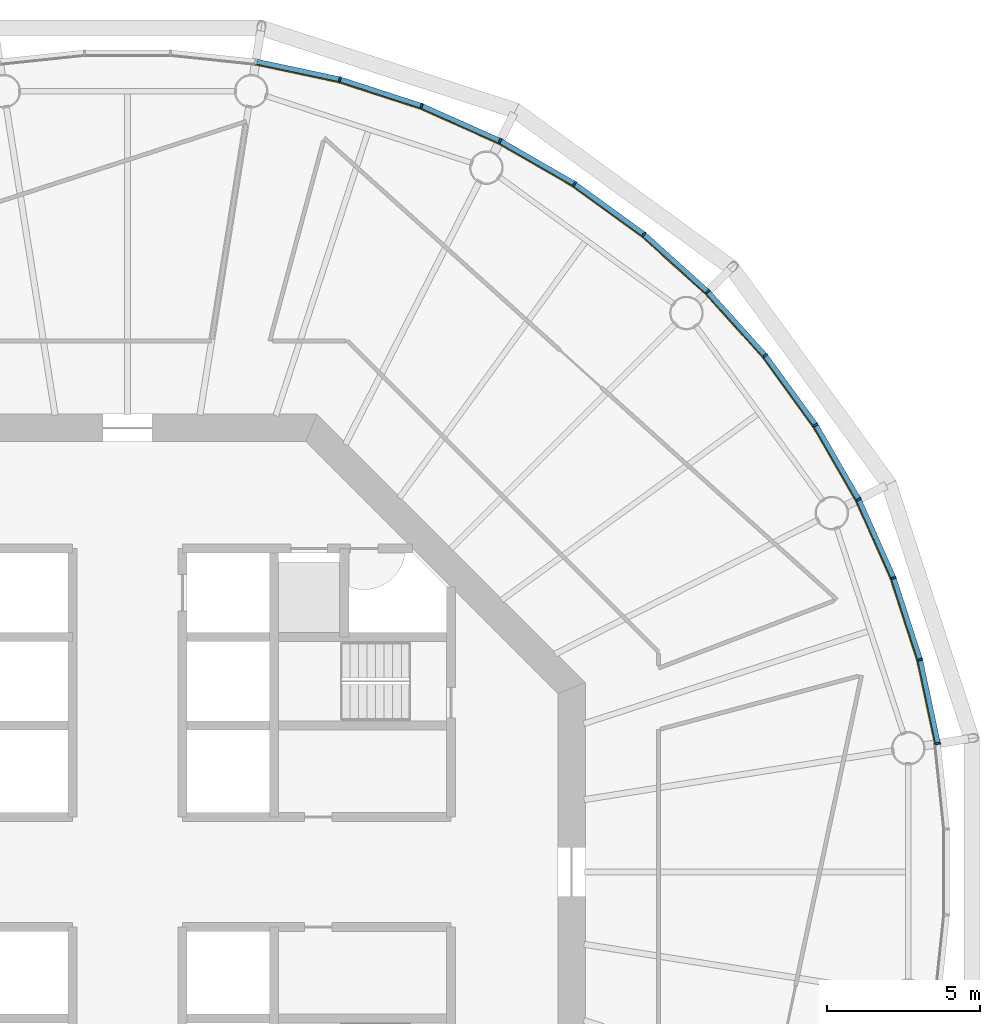
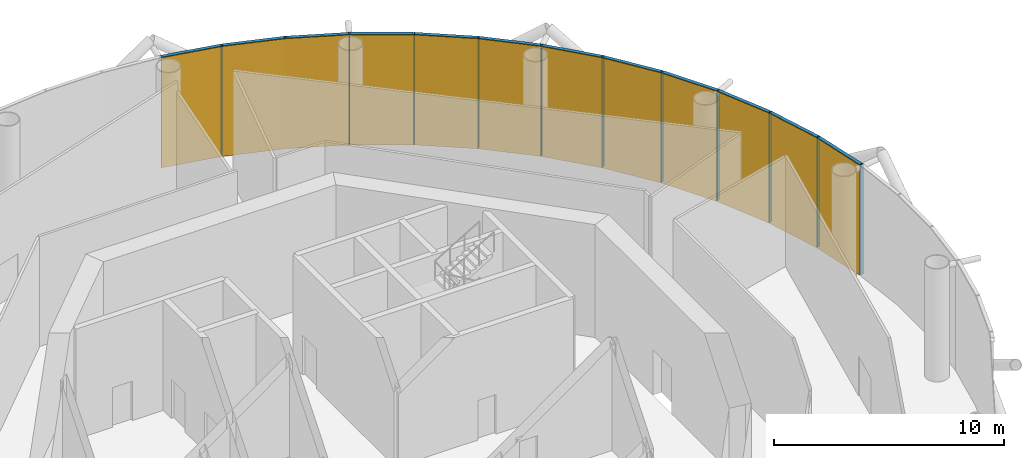
# One storey, part 12 of 14: 24 members, 4 curtain walls.
"""IFC4 building model written with IfcOpenShell, lengths in metres."""

from ifc_helpers import new_model, si_unit, direction, frame, origin, origin_2d, place, context, subcontext, project, spatial, polyline, rectangle, outline, extrude, material, layer, layer_set, material_profile, profile_set, type_object, element, aggregate, save


model = new_model("IFC4")

# Units and contexts
model_context = context("Model", 3, precision=1e-05, world=origin(), true_north=direction((0.0, 1.0)))
body_context = subcontext(model_context, "Body", "Model", "MODEL_VIEW")
ifc_project = project(units=[si_unit("LENGTHUNIT", "METRE"), si_unit("AREAUNIT", "SQUARE_METRE"), si_unit("VOLUMEUNIT", "CUBIC_METRE"), si_unit("PLANEANGLEUNIT", "RADIAN"), si_unit("MASSUNIT", "GRAM", prefix="KILO")], contexts=[model_context])

# Member
ifc_material_1 = material(Name="Anodised aluminium", Category="aluminium")
ifc_material_profile_1 = material_profile(ifc_material_1, rectangle(XDim=0.06005859375, YDim=0.169921875, at=origin_2d()), Name="Mullion 60 x 170 mm anodised aluminium")
ifc_profile_set_1 = profile_set([ifc_material_profile_1], Name="Anodised aluminium")
member_type_1 = type_object("IfcMemberType", Name="Mullion 60 x 170 mm anodised aluminium", PredefinedType="MULLION", material=ifc_profile_set_1)
site_placement = place(None, origin())
building_placement = place(site_placement, origin())
storey_placement = place(building_placement, frame((0.0, 0.0, 262.0)))
member_1_placement = place(storey_placement, frame((116.553955078125, 84.205810546875, 0.0), z_axis=(0.0, 0.0, 1.0), x_axis=(-0.15643446504, 0.987688340595, 0.0)))
member_1 = element("IfcMember", 1, at=member_1_placement, type_object=member_type_1, Name="MULLION L60-00", PredefinedType="MULLION", context=body_context, shape_type="SweptSolid", body=[
    extrude(rectangle(XDim=0.06005859375, YDim=0.169921875, at=origin_2d()), origin(), (0.0, 0.0, 1.0), 5.85009765625),
])

member_2_placement = place(storey_placement, frame((115.968994140625, 86.958251953125, 0.0), z_axis=(0.0, 0.0, 1.0), x_axis=(-0.258819045103, 0.965925826289, 0.0)))
member_2 = element("IfcMember", 2, at=member_2_placement, type_object=member_type_1, Name="MULLION L60-01", PredefinedType="MULLION", context=body_context, shape_type="SweptSolid", body=[
    extrude(rectangle(XDim=0.06005859375, YDim=0.169921875, at=origin_2d()), origin(), (0.0, 0.0, 1.0), 5.85009765625),
])

member_3_placement = place(storey_placement, frame((115.099365234375, 89.634765625, 0.0), z_axis=(0.0, 0.0, 1.0), x_axis=(-0.358367949545, 0.933580426497, 0.0)))
member_3 = element("IfcMember", 3, at=member_3_placement, type_object=member_type_1, Name="MULLION L60-02", PredefinedType="MULLION", context=body_context, shape_type="SweptSolid", body=[
    extrude(rectangle(XDim=0.06005859375, YDim=0.169921875, at=origin_2d()), origin(), (0.0, 0.0, 1.0), 5.85009765625),
])

member_4_placement = place(storey_placement, frame((113.95458984375, 92.20556640625, 0.0), z_axis=(0.0, 0.0, 1.0), x_axis=(-0.45399049974, 0.891006524188, 0.0)))
member_4 = element("IfcMember", 4, at=member_4_placement, type_object=member_type_1, Name="MULLION L60-03", PredefinedType="MULLION", context=body_context, shape_type="SweptSolid", body=[
    extrude(rectangle(XDim=0.06005859375, YDim=0.169921875, at=origin_2d()), origin(), (0.0, 0.0, 1.0), 5.85009765625),
])

member_5_placement = place(storey_placement, frame((112.547607421875, 94.642578125, 0.0), z_axis=(0.0, 0.0, 1.0), x_axis=(-0.544639035015, 0.838670567945, 0.0)))
member_5 = element("IfcMember", 5, at=member_5_placement, type_object=member_type_1, Name="MULLION L60-04", PredefinedType="MULLION", context=body_context, shape_type="SweptSolid", body=[
    extrude(rectangle(XDim=0.06005859375, YDim=0.169921875, at=origin_2d()), origin(), (0.0, 0.0, 1.0), 5.85009765625),
])

member_6_placement = place(storey_placement, frame((110.8935546875, 96.919189453125, 0.0), z_axis=(0.0, 0.0, 1.0), x_axis=(-0.62932039105, 0.777145961457, 0.0)))
member_6 = element("IfcMember", 6, at=member_6_placement, type_object=member_type_1, Name="MULLION L60-05", PredefinedType="MULLION", context=body_context, shape_type="SweptSolid", body=[
    extrude(rectangle(XDim=0.06005859375, YDim=0.169921875, at=origin_2d()), origin(), (0.0, 0.0, 1.0), 5.85009765625),
])

member_7_placement = place(storey_placement, frame((109.010498046875, 99.010498046875, 0.0), z_axis=(0.0, 0.0, 1.0), x_axis=(-0.707106781187, 0.707106781187, 0.0)))
member_7 = element("IfcMember", 7, at=member_7_placement, type_object=member_type_1, Name="MULLION L60-06", PredefinedType="MULLION", context=body_context, shape_type="SweptSolid", body=[
    extrude(rectangle(XDim=0.06005859375, YDim=0.169921875, at=origin_2d()), origin(), (0.0, 0.0, 1.0), 5.85009765625),
])

member_8_placement = place(storey_placement, frame((106.919189453125, 100.8935546875, 0.0), z_axis=(0.0, 0.0, 1.0), x_axis=(-0.777145961457, 0.62932039105, 0.0)))
member_8 = element("IfcMember", 8, at=member_8_placement, type_object=member_type_1, Name="MULLION L60-07", PredefinedType="MULLION", context=body_context, shape_type="SweptSolid", body=[
    extrude(rectangle(XDim=0.06005859375, YDim=0.169921875, at=origin_2d()), origin(), (0.0, 0.0, 1.0), 5.85009765625),
])

member_9_placement = place(storey_placement, frame((104.642578125, 102.547607421875, 0.0), z_axis=(0.0, 0.0, 1.0), x_axis=(-0.838670567945, 0.544639035015, 0.0)))
member_9 = element("IfcMember", 9, at=member_9_placement, type_object=member_type_1, Name="MULLION L60-08", PredefinedType="MULLION", context=body_context, shape_type="SweptSolid", body=[
    extrude(rectangle(XDim=0.06005859375, YDim=0.169921875, at=origin_2d()), origin(), (0.0, 0.0, 1.0), 5.85009765625),
])

member_10_placement = place(storey_placement, frame((102.20556640625, 103.95458984375, 0.0), z_axis=(0.0, 0.0, 1.0), x_axis=(-0.891006524188, 0.45399049974, 0.0)))
member_10 = element("IfcMember", 10, at=member_10_placement, type_object=member_type_1, Name="MULLION L60-09", PredefinedType="MULLION", context=body_context, shape_type="SweptSolid", body=[
    extrude(rectangle(XDim=0.06005859375, YDim=0.169921875, at=origin_2d()), origin(), (0.0, 0.0, 1.0), 5.85009765625),
])

member_11_placement = place(storey_placement, frame((99.634765625, 105.099365234375, 0.0), z_axis=(0.0, 0.0, 1.0), x_axis=(-0.933580426497, 0.358367949545, 0.0)))
member_11 = element("IfcMember", 11, at=member_11_placement, type_object=member_type_1, Name="MULLION L60-10", PredefinedType="MULLION", context=body_context, shape_type="SweptSolid", body=[
    extrude(rectangle(XDim=0.06005859375, YDim=0.169921875, at=origin_2d()), origin(), (0.0, 0.0, 1.0), 5.85009765625),
])

member_12_placement = place(storey_placement, frame((96.958251953125, 105.968994140625, 0.0), z_axis=(0.0, 0.0, 1.0), x_axis=(-0.965925826289, 0.258819045103, 0.0)))
member_12 = element("IfcMember", 12, at=member_12_placement, type_object=member_type_1, Name="MULLION L60-11", PredefinedType="MULLION", context=body_context, shape_type="SweptSolid", body=[
    extrude(rectangle(XDim=0.06005859375, YDim=0.169921875, at=origin_2d()), origin(), (0.0, 0.0, 1.0), 5.85009765625),
])

ifc_material_2 = material(Name="Anodised aluminium", Category="aluminium")
ifc_material_profile_2 = material_profile(ifc_material_2, rectangle(XDim=0.169921875, YDim=0.1650390625, at=origin_2d()), Name="Transom 165 x 170 mm anodised aluminium")
ifc_profile_set_2 = profile_set([ifc_material_profile_2], Name="Anodised aluminium")
member_type_2 = type_object("IfcMemberType", Name="Transom 165 x 170 mm anodised aluminium", PredefinedType="USERDEFINED", material=ifc_profile_set_2)
member_13_placement = place(storey_placement, frame((116.546875, 84.239501953125, 5.767578125), z_axis=(-0.207937468562, 0.97814212115, 0.0), x_axis=(-0.97814212115, -0.207937468562, 0.0)))
member_13 = element("IfcMember", 13, at=member_13_placement, type_object=member_type_2, Name="TRANSOM L60-00", ObjectType="TRANSOM", PredefinedType="USERDEFINED", context=body_context, shape_type="SweptSolid", body=[
    extrude(rectangle(XDim=0.169921875, YDim=0.1650390625, at=origin_2d()), origin(), (0.0, 0.0, 1.0), 2.7451171875),
])

member_14_placement = place(storey_placement, frame((115.95849609375, 86.9912109375, 5.767578125), z_axis=(-0.309041831781, 0.951048445774, 0.0), x_axis=(-0.951048445774, -0.309041831781, 0.0)))
member_14 = element("IfcMember", 14, at=member_14_placement, type_object=member_type_2, Name="TRANSOM L60-01", ObjectType="TRANSOM", PredefinedType="USERDEFINED", context=body_context, shape_type="SweptSolid", body=[
    extrude(rectangle(XDim=0.169921875, YDim=0.1650390625, at=origin_2d()), origin(), (0.0, 0.0, 1.0), 2.7451171875),
])

member_15_placement = place(storey_placement, frame((115.08544921875, 89.666259765625, 5.767578125), z_axis=(-0.406781987391, 0.913525267704, 0.0), x_axis=(-0.913525267704, -0.406781987391, 0.0)))
member_15 = element("IfcMember", 15, at=member_15_placement, type_object=member_type_2, Name="TRANSOM L60-02", ObjectType="TRANSOM", PredefinedType="USERDEFINED", context=body_context, shape_type="SweptSolid", body=[
    extrude(rectangle(XDim=0.169921875, YDim=0.1650390625, at=origin_2d()), origin(), (0.0, 0.0, 1.0), 2.7451171875),
])

member_16_placement = place(storey_placement, frame((113.9375, 92.2353515625, 5.767578125), z_axis=(-0.49998419723, 0.866034527326, 0.0), x_axis=(-0.866034527326, -0.49998419723, 0.0)))
member_16 = element("IfcMember", 16, at=member_16_placement, type_object=member_type_2, Name="TRANSOM L60-03", ObjectType="TRANSOM", PredefinedType="USERDEFINED", context=body_context, shape_type="SweptSolid", body=[
    extrude(rectangle(XDim=0.169921875, YDim=0.1650390625, at=origin_2d()), origin(), (0.0, 0.0, 1.0), 2.7451171875),
])

member_17_placement = place(storey_placement, frame((112.527587890625, 94.670654296875, 5.767578125), z_axis=(-0.587864947412, 0.808959086484, 0.0), x_axis=(-0.808959086484, -0.587864947412, 0.0)))
member_17 = element("IfcMember", 17, at=member_17_placement, type_object=member_type_2, Name="TRANSOM L60-04", ObjectType="TRANSOM", PredefinedType="USERDEFINED", context=body_context, shape_type="SweptSolid", body=[
    extrude(rectangle(XDim=0.169921875, YDim=0.1650390625, at=origin_2d()), origin(), (0.0, 0.0, 1.0), 2.7451171875),
])

member_18_placement = place(storey_placement, frame((110.87060546875, 96.945068359375, 5.767578125), z_axis=(-0.669141598561, 0.743134927907, 0.0), x_axis=(-0.743134927907, -0.669141598561, 0.0)))
member_18 = element("IfcMember", 18, at=member_18_placement, type_object=member_type_2, Name="TRANSOM L60-05", ObjectType="TRANSOM", PredefinedType="USERDEFINED", context=body_context, shape_type="SweptSolid", body=[
    extrude(rectangle(XDim=0.169921875, YDim=0.1650390625, at=origin_2d()), origin(), (0.0, 0.0, 1.0), 2.7451171875),
])

member_19_placement = place(storey_placement, frame((108.985107421875, 99.03369140625, 5.767578125), z_axis=(-0.743134927907, 0.669141598561, 0.0), x_axis=(-0.669141598561, -0.743134927907, 0.0)))
member_19 = element("IfcMember", 19, at=member_19_placement, type_object=member_type_2, Name="TRANSOM L60-06", ObjectType="TRANSOM", PredefinedType="USERDEFINED", context=body_context, shape_type="SweptSolid", body=[
    extrude(rectangle(XDim=0.169921875, YDim=0.1650390625, at=origin_2d()), origin(), (0.0, 0.0, 1.0), 2.7451171875),
])

member_20_placement = place(storey_placement, frame((106.891357421875, 100.913818359375, 5.767578125), z_axis=(-0.808959086484, 0.587864947412, 0.0), x_axis=(-0.587864947412, -0.808959086484, 0.0)))
member_20 = element("IfcMember", 20, at=member_20_placement, type_object=member_type_2, Name="TRANSOM L60-07", ObjectType="TRANSOM", PredefinedType="USERDEFINED", context=body_context, shape_type="SweptSolid", body=[
    extrude(rectangle(XDim=0.169921875, YDim=0.1650390625, at=origin_2d()), origin(), (0.0, 0.0, 1.0), 2.7451171875),
])

member_21_placement = place(storey_placement, frame((104.61279296875, 102.56494140625, 5.767578125), z_axis=(-0.866034527326, 0.49998419723, 0.0), x_axis=(-0.49998419723, -0.866034527326, 0.0)))
member_21 = element("IfcMember", 21, at=member_21_placement, type_object=member_type_2, Name="TRANSOM L60-08", ObjectType="TRANSOM", PredefinedType="USERDEFINED", context=body_context, shape_type="SweptSolid", body=[
    extrude(rectangle(XDim=0.169921875, YDim=0.1650390625, at=origin_2d()), origin(), (0.0, 0.0, 1.0), 2.7451171875),
])

member_22_placement = place(storey_placement, frame((102.174072265625, 103.96875, 5.767578125), z_axis=(-0.913525267704, 0.406781987391, 0.0), x_axis=(-0.406781987391, -0.913525267704, 0.0)))
member_22 = element("IfcMember", 22, at=member_22_placement, type_object=member_type_2, Name="TRANSOM L60-09", ObjectType="TRANSOM", PredefinedType="USERDEFINED", context=body_context, shape_type="SweptSolid", body=[
    extrude(rectangle(XDim=0.169921875, YDim=0.1650390625, at=origin_2d()), origin(), (0.0, 0.0, 1.0), 2.7451171875),
])

member_23_placement = place(storey_placement, frame((99.60205078125, 105.110107421875, 5.767578125), z_axis=(-0.951048445774, 0.309041831781, 0.0), x_axis=(-0.309041831781, -0.951048445774, 0.0)))
member_23 = element("IfcMember", 23, at=member_23_placement, type_object=member_type_2, Name="TRANSOM L60-10", ObjectType="TRANSOM", PredefinedType="USERDEFINED", context=body_context, shape_type="SweptSolid", body=[
    extrude(rectangle(XDim=0.169921875, YDim=0.1650390625, at=origin_2d()), origin(), (0.0, 0.0, 1.0), 2.7451171875),
])

member_24_placement = place(storey_placement, frame((96.924560546875, 105.97607421875, 5.767578125), z_axis=(-0.97814212115, 0.207937468562, 0.0), x_axis=(-0.207937468562, -0.97814212115, 0.0)))
member_24 = element("IfcMember", 24, at=member_24_placement, type_object=member_type_2, Name="TRANSOM L60-11", ObjectType="TRANSOM", PredefinedType="USERDEFINED", context=body_context, shape_type="SweptSolid", body=[
    extrude(rectangle(XDim=0.169921875, YDim=0.1650390625, at=origin_2d()), origin(), (0.0, 0.0, 1.0), 2.7451171875),
])

# Site, building, storey
site = spatial("IfcSite", under=ifc_project, at=site_placement, CompositionType="ELEMENT")
building = spatial("IfcBuilding", under=site, at=building_placement, Name="Entoto Ring Tower", CompositionType="ELEMENT")
storey = spatial("IfcBuildingStorey", under=building, at=storey_placement, Name="L60", CompositionType="ELEMENT", Elevation=262.0)

# Curtain wall
ifc_material_3 = material(Name="Clear low-iron glass", Category="glass")
ifc_layer = layer(ifc_material_3, 0.031982421875)
ifc_layer_set = layer_set([ifc_layer], Name="Clear low-iron glass")
curtain_wall_type = type_object("IfcCurtainWallType", Name="Curtain wall system CW4 glazing 32 mm", PredefinedType="NOTDEFINED", material=ifc_layer_set)
curtain_wall_1_placement = place(storey_placement, origin())
curtain_wall_1 = element("IfcCurtainWall", 25, at=curtain_wall_1_placement, inside=storey, type_object=curtain_wall_type, Name="CW4 L60-01", PredefinedType="NOTDEFINED", context=body_context, shape_type="SweptSolid", body=[
    extrude(outline(polyline([(116.469970703125, 84.1923828125), (115.88671875, 86.936279296875), (115.02001953125, 89.604248046875), (113.87890625, 92.1669921875), (113.850341796875, 92.15234375), (114.989990234375, 89.5927734375), (115.85595703125, 86.927978515625), (116.4384765625, 84.1875), (116.469970703125, 84.1923828125)])), origin(), (0.0, 0.0, 1.0), 5.85009765625),
])

aggregate(curtain_wall_1, [member_1, member_2, member_3, member_13, member_14, member_15])

curtain_wall_2_placement = place(storey_placement, origin())
curtain_wall_2 = element("IfcCurtainWall", 26, at=curtain_wall_2_placement, inside=storey, type_object=curtain_wall_type, Name="CW4 L60-02", PredefinedType="NOTDEFINED", context=body_context, shape_type="SweptSolid", body=[
    extrude(outline(polyline([(113.87890625, 92.1669921875), (112.476318359375, 94.596435546875), (110.827392578125, 96.86572265625), (108.950439453125, 98.950439453125), (108.927734375, 98.927734375), (110.802490234375, 96.845703125), (112.449462890625, 94.578857421875), (113.850341796875, 92.15234375), (113.87890625, 92.1669921875)])), origin(), (0.0, 0.0, 1.0), 5.85009765625),
])

aggregate(curtain_wall_2, [member_4, member_5, member_6, member_16, member_17, member_18])

curtain_wall_3_placement = place(storey_placement, origin())
curtain_wall_3 = element("IfcCurtainWall", 27, at=curtain_wall_3_placement, inside=storey, type_object=curtain_wall_type, Name="CW4 L60-03", PredefinedType="NOTDEFINED", context=body_context, shape_type="SweptSolid", body=[
    extrude(outline(polyline([(108.950439453125, 98.950439453125), (106.86572265625, 100.827392578125), (104.596435546875, 102.476318359375), (102.1669921875, 103.87890625), (102.15234375, 103.850341796875), (104.578857421875, 102.449462890625), (106.845703125, 100.802490234375), (108.927734375, 98.927734375), (108.950439453125, 98.950439453125)])), origin(), (0.0, 0.0, 1.0), 5.85009765625),
])

aggregate(curtain_wall_3, [member_7, member_8, member_9, member_19, member_20, member_21])

curtain_wall_4_placement = place(storey_placement, origin())
curtain_wall_4 = element("IfcCurtainWall", 28, at=curtain_wall_4_placement, inside=storey, type_object=curtain_wall_type, Name="CW4 L60-04", PredefinedType="NOTDEFINED", context=body_context, shape_type="SweptSolid", body=[
    extrude(outline(polyline([(102.1669921875, 103.87890625), (99.604248046875, 105.02001953125), (96.936279296875, 105.88671875), (94.1923828125, 106.469970703125), (94.1875, 106.4384765625), (96.927978515625, 105.85595703125), (99.5927734375, 104.989990234375), (102.15234375, 103.850341796875), (102.1669921875, 103.87890625)])), origin(), (0.0, 0.0, 1.0), 5.85009765625),
])

aggregate(curtain_wall_4, [member_10, member_11, member_12, member_22, member_23, member_24])

save(model, "model.ifc")
